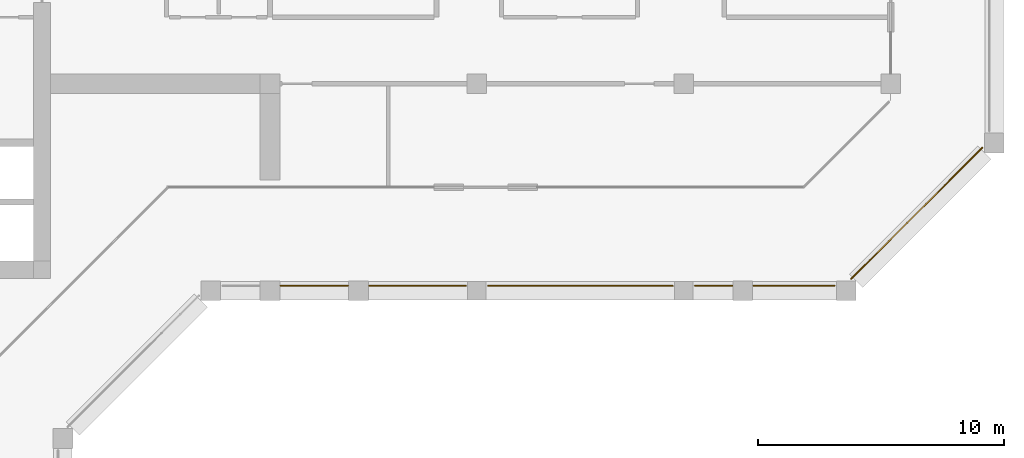
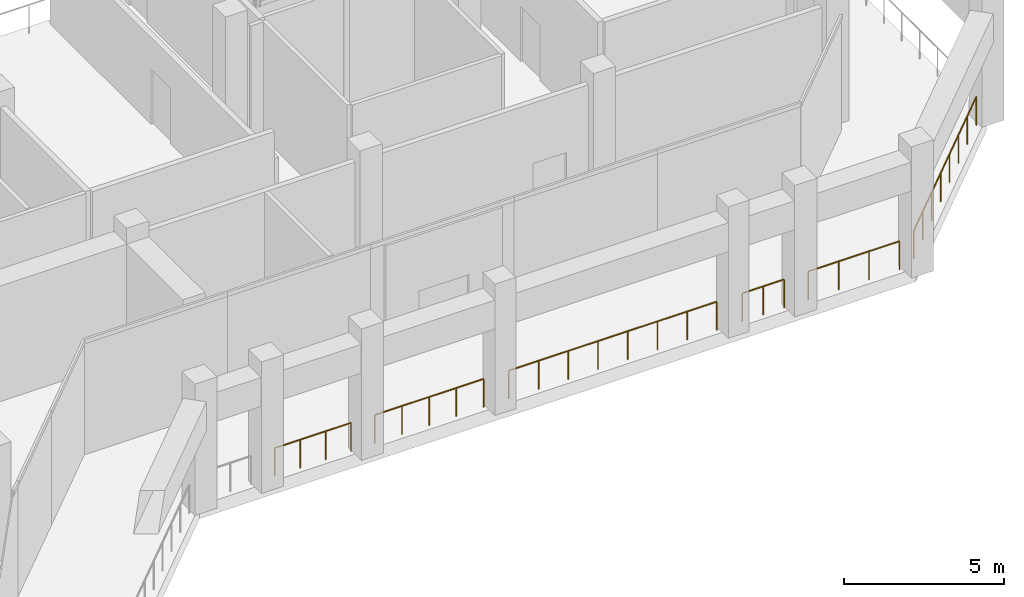
# One storey, part 14 of 16: 6 railings.
"""IFC4 building model written with IfcOpenShell, lengths in metres."""

from ifc_helpers import new_model, si_unit, direction, frame, origin, origin_2d, place, context, subcontext, project, spatial, circle, extrude, material, type_object, element, save


model = new_model("IFC4")

# Units and contexts
model_context = context("Model", 3, precision=1e-05, world=origin(), true_north=direction((0.0, 1.0)))
body_context = subcontext(model_context, "Body", "Model", "MODEL_VIEW")
ifc_project = project(units=[si_unit("LENGTHUNIT", "METRE"), si_unit("AREAUNIT", "SQUARE_METRE"), si_unit("VOLUMEUNIT", "CUBIC_METRE"), si_unit("PLANEANGLEUNIT", "RADIAN"), si_unit("MASSUNIT", "GRAM", prefix="KILO")], contexts=[model_context])

# Site, building, storey
site_placement = place(None, origin())
site = spatial("IfcSite", under=ifc_project, at=site_placement, CompositionType="ELEMENT")
building_placement = place(site_placement, origin())
building = spatial("IfcBuilding", under=site, at=building_placement, Name="Kawkab Arch Medical Tower", CompositionType="ELEMENT")
storey_placement = place(building_placement, frame((0.0, 0.0, 272.60009765625)))
storey = spatial("IfcBuildingStorey", under=building, at=storey_placement, Name="L63", CompositionType="ELEMENT", Elevation=272.60009765625)

# Railings
ifc_material = material(Name="Bronze anodised aluminium guard", Category="aluminium")
railing_type = type_object("IfcRailingType", Name="Loggia and terrace guard 1100", PredefinedType="GUARDRAIL", material=ifc_material)
railing_1_placement = place(storey_placement, frame((62.52001953125, -19.39697265625, 0.0)))
element("IfcRailing", 1, at=railing_1_placement, inside=storey, type_object=railing_type, Name="Guard L63.REF-01.2.6", PredefinedType="GUARDRAIL", context=body_context, shape_type="SweptSolid", body=[
    extrude(circle(Radius=0.02392578125, at=origin_2d()), frame((0.0, 0.0, 1.076171875), z_axis=(-0.707106781187, -0.707106781187, 0.0), x_axis=(0.707106781187, -0.707106781187, 0.0)), (0.0, 0.0, 1.0), 7.52783203125),
    extrude(circle(Radius=0.02099609375, at=origin_2d()), origin(), (0.0, 0.0, 1.0), 1.052001953125),
    extrude(circle(Radius=0.02099609375, at=origin_2d()), frame((-0.760498046875, -0.760498046875, 0.0)), (0.0, 0.0, 1.0), 1.052001953125),
    extrude(circle(Radius=0.02099609375, at=origin_2d()), frame((-1.520751953125, -1.520751953125, 0.0)), (0.0, 0.0, 1.0), 1.052001953125),
    extrude(circle(Radius=0.02099609375, at=origin_2d()), frame((-2.28125, -2.28125, 0.0)), (0.0, 0.0, 1.0), 1.052001953125),
    extrude(circle(Radius=0.02099609375, at=origin_2d()), frame((-3.041748046875, -3.041748046875, 0.0)), (0.0, 0.0, 1.0), 1.052001953125),
    extrude(circle(Radius=0.02099609375, at=origin_2d()), frame((-3.80224609375, -3.80224609375, 0.0)), (0.0, 0.0, 1.0), 1.052001953125),
    extrude(circle(Radius=0.02099609375, at=origin_2d()), frame((-4.5625, -4.5625, 0.0)), (0.0, 0.0, 1.0), 1.052001953125),
    extrude(circle(Radius=0.02099609375, at=origin_2d()), frame((-5.322998046875, -5.322998046875, 0.0)), (0.0, 0.0, 1.0), 1.052001953125),
])
railing_2_placement = place(storey_placement, frame((56.52001953125, -25.0, 0.0)))
element("IfcRailing", 2, at=railing_2_placement, inside=storey, type_object=railing_type, Name="Guard L63.REF-01.2.7", PredefinedType="GUARDRAIL", context=body_context, shape_type="SweptSolid", body=[
    extrude(circle(Radius=0.02392578125, at=origin_2d()), frame((0.0, 0.0, 1.076171875), z_axis=(-1.0, 0.0, 0.0), x_axis=(0.0, -1.0, 0.0)), (0.0, 0.0, 1.0), 3.2900390625),
    extrude(circle(Radius=0.02099609375, at=origin_2d()), origin(), (0.0, 0.0, 1.0), 1.052001953125),
    extrude(circle(Radius=0.02099609375, at=origin_2d()), frame((-1.0966796875, 0.0, 0.0)), (0.0, 0.0, 1.0), 1.052001953125),
    extrude(circle(Radius=0.02099609375, at=origin_2d()), frame((-2.193359375, 0.0, 0.0)), (0.0, 0.0, 1.0), 1.052001953125),
    extrude(circle(Radius=0.02099609375, at=origin_2d()), frame((-3.2900390625, 0.0, 0.0)), (0.0, 0.0, 1.0), 1.052001953125),
])
railing_3_placement = place(storey_placement, frame((52.3701171875, -25.0, 0.0)))
element("IfcRailing", 3, at=railing_3_placement, inside=storey, type_object=railing_type, Name="Guard L63.REF-01.2.8", PredefinedType="GUARDRAIL", context=body_context, shape_type="SweptSolid", body=[
    extrude(circle(Radius=0.02392578125, at=origin_2d()), frame((0.0, 0.0, 1.076171875), z_axis=(-1.0, 0.0, 0.0), x_axis=(0.0, -1.0, 0.0)), (0.0, 0.0, 1.0), 1.51513671875),
    extrude(circle(Radius=0.02099609375, at=origin_2d()), origin(), (0.0, 0.0, 1.0), 1.052001953125),
    extrude(circle(Radius=0.02099609375, at=origin_2d()), frame((-0.757568359375, 0.0, 0.0)), (0.0, 0.0, 1.0), 1.052001953125),
    extrude(circle(Radius=0.02099609375, at=origin_2d()), frame((-1.51513671875, 0.0, 0.0)), (0.0, 0.0, 1.0), 1.052001953125),
])
railing_4_placement = place(storey_placement, frame((49.945068359375, -25.0, 0.0)))
element("IfcRailing", 4, at=railing_4_placement, inside=storey, type_object=railing_type, Name="Guard L63.REF-01.2.9", PredefinedType="GUARDRAIL", context=body_context, shape_type="SweptSolid", body=[
    extrude(circle(Radius=0.02392578125, at=origin_2d()), frame((0.0, 0.0, 1.076171875), z_axis=(-1.0, 0.0, 0.0), x_axis=(0.0, -1.0, 0.0)), (0.0, 0.0, 1.0), 7.489990234375),
    extrude(circle(Radius=0.02099609375, at=origin_2d()), origin(), (0.0, 0.0, 1.0), 1.052001953125),
    extrude(circle(Radius=0.02099609375, at=origin_2d()), frame((-1.070068359375, 0.0, 0.0)), (0.0, 0.0, 1.0), 1.052001953125),
    extrude(circle(Radius=0.02099609375, at=origin_2d()), frame((-2.139892578125, 0.0, 0.0)), (0.0, 0.0, 1.0), 1.052001953125),
    extrude(circle(Radius=0.02099609375, at=origin_2d()), frame((-3.2099609375, 0.0, 0.0)), (0.0, 0.0, 1.0), 1.052001953125),
    extrude(circle(Radius=0.02099609375, at=origin_2d()), frame((-4.280029296875, 0.0, 0.0)), (0.0, 0.0, 1.0), 1.052001953125),
    extrude(circle(Radius=0.02099609375, at=origin_2d()), frame((-5.35009765625, 0.0, 0.0)), (0.0, 0.0, 1.0), 1.052001953125),
    extrude(circle(Radius=0.02099609375, at=origin_2d()), frame((-6.419921875, 0.0, 0.0)), (0.0, 0.0, 1.0), 1.052001953125),
    extrude(circle(Radius=0.02099609375, at=origin_2d()), frame((-7.489990234375, 0.0, 0.0)), (0.0, 0.0, 1.0), 1.052001953125),
])
railing_5_placement = place(storey_placement, frame((41.544921875, -25.0, 0.0)))
element("IfcRailing", 5, at=railing_5_placement, inside=storey, type_object=railing_type, Name="Guard L63.REF-01.2.10", PredefinedType="GUARDRAIL", context=body_context, shape_type="SweptSolid", body=[
    extrude(circle(Radius=0.02392578125, at=origin_2d()), frame((0.0, 0.0, 1.076171875), z_axis=(-1.0, 0.0, 0.0), x_axis=(0.0, -1.0, 0.0)), (0.0, 0.0, 1.0), 3.9150390625),
    extrude(circle(Radius=0.02099609375, at=origin_2d()), origin(), (0.0, 0.0, 1.0), 1.052001953125),
    extrude(circle(Radius=0.02099609375, at=origin_2d()), frame((-0.978759765625, 0.0, 0.0)), (0.0, 0.0, 1.0), 1.052001953125),
    extrude(circle(Radius=0.02099609375, at=origin_2d()), frame((-1.95751953125, 0.0, 0.0)), (0.0, 0.0, 1.0), 1.052001953125),
    extrude(circle(Radius=0.02099609375, at=origin_2d()), frame((-2.936279296875, 0.0, 0.0)), (0.0, 0.0, 1.0), 1.052001953125),
    extrude(circle(Radius=0.02099609375, at=origin_2d()), frame((-3.9150390625, 0.0, 0.0)), (0.0, 0.0, 1.0), 1.052001953125),
])
railing_6_placement = place(storey_placement, frame((36.77001953125, -25.0, 0.0)))
element("IfcRailing", 6, at=railing_6_placement, inside=storey, type_object=railing_type, Name="Guard L63.REF-01.2.11", PredefinedType="GUARDRAIL", context=body_context, shape_type="SweptSolid", body=[
    extrude(circle(Radius=0.02392578125, at=origin_2d()), frame((0.0, 0.0, 1.076171875), z_axis=(-1.0, 0.0, 0.0), x_axis=(0.0, -1.0, 0.0)), (0.0, 0.0, 1.0), 2.739990234375),
    extrude(circle(Radius=0.02099609375, at=origin_2d()), origin(), (0.0, 0.0, 1.0), 1.052001953125),
    extrude(circle(Radius=0.02099609375, at=origin_2d()), frame((-0.913330078125, 0.0, 0.0)), (0.0, 0.0, 1.0), 1.052001953125),
    extrude(circle(Radius=0.02099609375, at=origin_2d()), frame((-1.82666015625, 0.0, 0.0)), (0.0, 0.0, 1.0), 1.052001953125),
    extrude(circle(Radius=0.02099609375, at=origin_2d()), frame((-2.739990234375, 0.0, 0.0)), (0.0, 0.0, 1.0), 1.052001953125),
])

save(model, "model.ifc")
